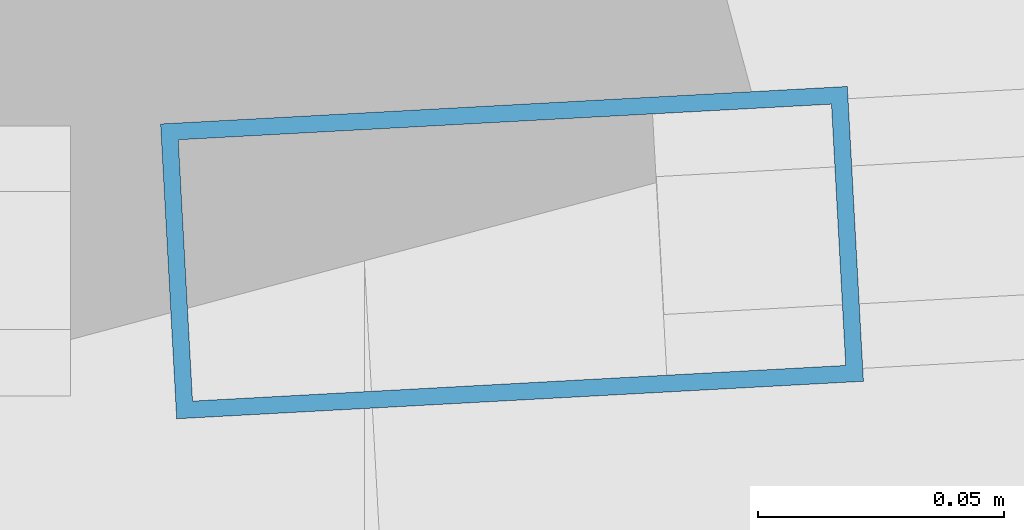
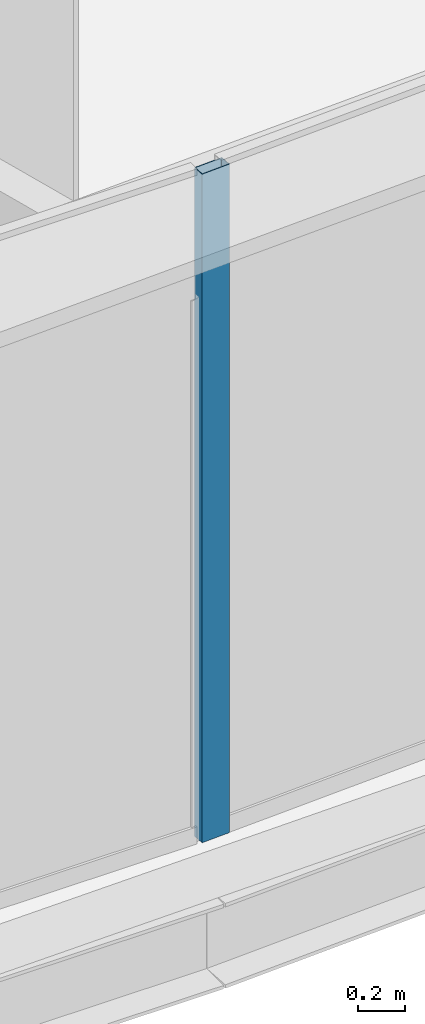
# One storey, part 10 of 36: 1 member, 1 element without a shape of its own.
"""IFC4 building model written with IfcOpenShell, lengths in metres."""

from ifc_helpers import new_model, si_unit, direction, frame, origin, origin_2d, place, context, subcontext, project, spatial, hollow_rectangle, extrude, source, transform, mapped, material, layer, layer_set, material_profile, profile_set, type_object, element, aggregate, save


model = new_model("IFC4")

# Units and contexts
model_context = context("Model", 3, precision=1e-05, world=origin(), true_north=direction((0.0, 1.0)))
body_context = subcontext(model_context, "Body", "Model", "MODEL_VIEW")
ifc_project = project(units=[si_unit("LENGTHUNIT", "METRE"), si_unit("AREAUNIT", "SQUARE_METRE"), si_unit("VOLUMEUNIT", "CUBIC_METRE"), si_unit("PLANEANGLEUNIT", "RADIAN"), si_unit("MASSUNIT", "GRAM", prefix="KILO"), si_unit("THERMODYNAMICTEMPERATUREUNIT", "KELVIN"), si_unit("POWERUNIT", "WATT")], contexts=[model_context])

# Site, building, storey
site_placement = place(None, origin())
site = spatial("IfcSite", under=ifc_project, at=site_placement, CompositionType="ELEMENT")
building_placement = place(site_placement, origin())
building = spatial("IfcBuilding", under=site, at=building_placement, Name="Yunzhuo Pagoda Commons", CompositionType="ELEMENT")
storey_placement = place(building_placement, frame((0.0, 0.0, 248.260009765625)))
storey = spatial("IfcBuildingStorey", under=building, at=storey_placement, Name="L62", CompositionType="ELEMENT", Elevation=248.260009765625)

# Curtain wall, member
ifc_material = material(Name="Anodized aluminium 6063-T6", Category="aluminium")
ifc_layer = layer(ifc_material, 0.139892578125)
ifc_layer_set = layer_set([ifc_layer], Name="Anodized aluminium 6063-T6")
curtain_wall_type = type_object("IfcCurtainWallType", Name="CW-HI High-Zone Ribbon Curtain Wall", PredefinedType="NOTDEFINED", material=ifc_layer_set)
curtain_wall_placement = place(storey_placement, origin())
curtain_wall = element("IfcCurtainWall", 1, at=curtain_wall_placement, inside=storey, type_object=curtain_wall_type, Name="L62 curtain wall CW-L62-F1B4", PredefinedType="NOTDEFINED")
ifc_material_profile = material_profile(ifc_material, hollow_rectangle(XDim=0.06005859375, YDim=0.139892578125, WallThickness=0.00341796875, at=origin_2d()), Name="Anodized aluminium 6063-T6")
ifc_profile_set = profile_set([ifc_material_profile], Name="Anodized aluminium 6063-T6")
member_type = type_object("IfcMemberType", Name="CW-HI-M Mullion RHS 140x60x3.5", PredefinedType="MULLION", material=ifc_profile_set)
shared_shape = source(origin(), body_context, "Body", "SweptSolid", [
    extrude(hollow_rectangle(XDim=0.06005859375, YDim=0.139892578125, WallThickness=0.00341796875, at=origin_2d()), origin(), (0.0, 0.0, 1.0), 3.47021484375),
])
member_placement = place(storey_placement, frame((52.673828125, 16.370361328125, 0.0), z_axis=(0.0, 0.0, 1.0), x_axis=(-0.054497194278, 0.998513923697, 0.0)))
member = element("IfcMember", 2, at=member_placement, type_object=member_type, Name="CW mullion 1", PredefinedType="MULLION", context=body_context, shape_type="MappedRepresentation", body=[
    mapped(shared_shape, transform((0.0, 0.0, 0.0), scale=1.0)),
])
aggregate(curtain_wall, [member])

save(model, "model.ifc")
